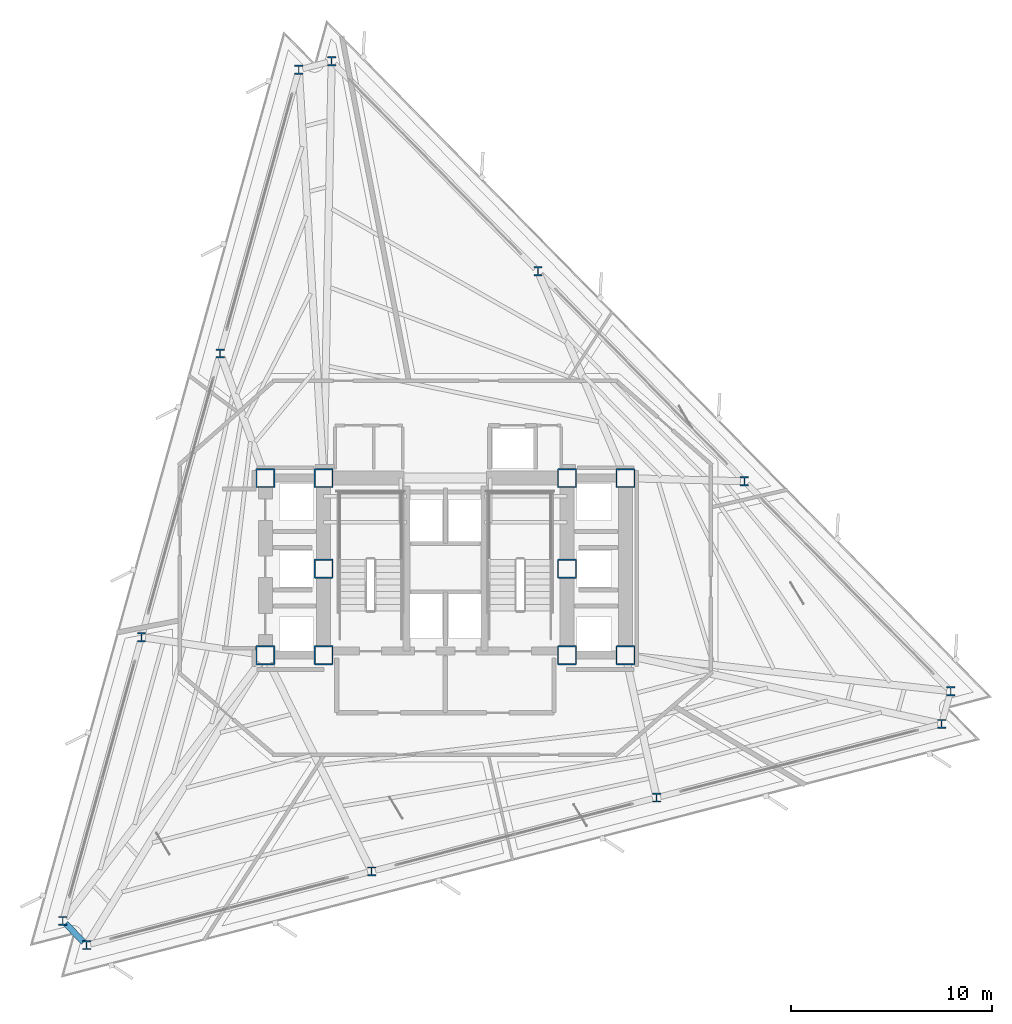
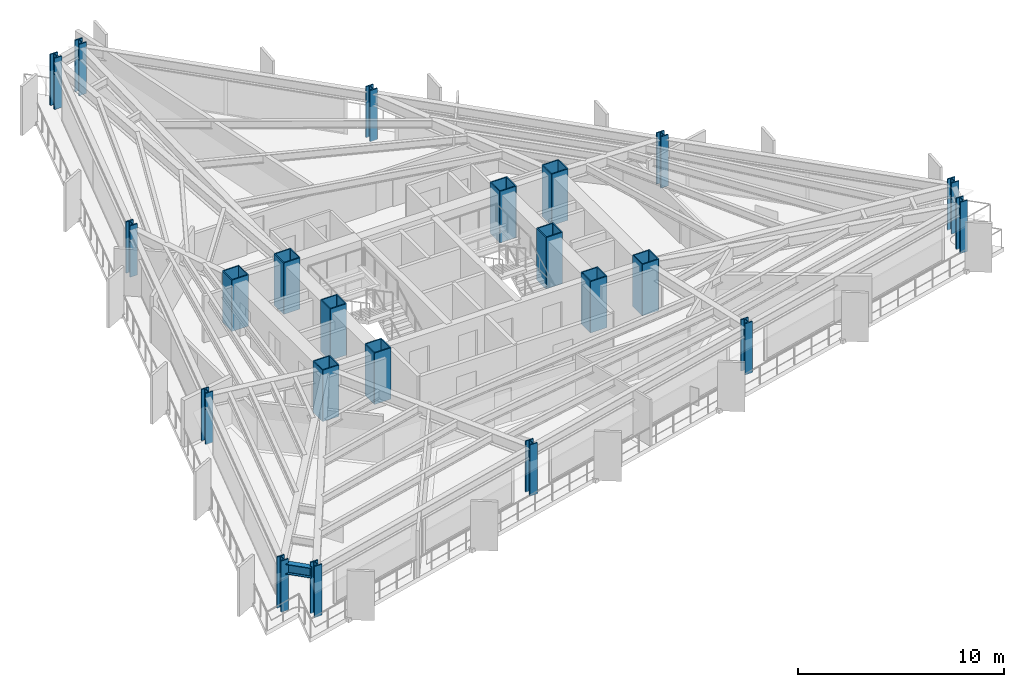
# One storey, part 1 of 11: 22 columns, 1 beam.
"""IFC4 building model written with IfcOpenShell, lengths in metres."""

from ifc_helpers import new_model, si_unit, direction, frame, origin, origin_2d, place, context, subcontext, project, spatial, hollow_rectangle, i_section, extrude, material, material_profile, profile_set, type_object, element, save


model = new_model("IFC4")

# Units and contexts
model_context = context("Model", 3, precision=1e-05, world=origin(), true_north=direction((0.0, 1.0)))
body_context = subcontext(model_context, "Body", "Model", "MODEL_VIEW")
ifc_project = project(units=[si_unit("LENGTHUNIT", "METRE"), si_unit("AREAUNIT", "SQUARE_METRE"), si_unit("VOLUMEUNIT", "CUBIC_METRE"), si_unit("PLANEANGLEUNIT", "RADIAN"), si_unit("MASSUNIT", "GRAM", prefix="KILO")], contexts=[model_context])

# Site, building, storey
site_placement = place(None, origin())
site = spatial("IfcSite", under=ifc_project, at=site_placement, CompositionType="ELEMENT")
building_placement = place(site_placement, origin())
building = spatial("IfcBuilding", under=site, at=building_placement, Name="Rocaltana Carrier Exchange", CompositionType="ELEMENT")
storey_placement = place(building_placement, frame((0.0, 0.0, 79.52001953125)))
storey = spatial("IfcBuildingStorey", under=building, at=storey_placement, Name="L24", CompositionType="ELEMENT", Elevation=79.52001953125)

# Columns
ifc_material_1 = material(Name="Steel S460", Category="steel")
ifc_material_profile_1 = material_profile(ifc_material_1, hollow_rectangle(XDim=0.949951171875, YDim=0.949951171875, WallThickness=0.06005859375, InnerFilletRadius=0.02001953125, OuterFilletRadius=0.0400390625, at=origin_2d()), Name="BOX950X950X60")
ifc_profile_set_1 = profile_set([ifc_material_profile_1], Name="Steel S460")
column_type_1 = type_object("IfcColumnType", Name="Core Mega-Column BOX950", PredefinedType="COLUMN", material=ifc_profile_set_1)
for number, where, z_axis, x_axis, name in (
    (1, (-6.050048828125, 4.5, 0.0), (0.0, 0.0, 1.0), (1.0, 0.0, 0.0), "L24 Core Mega-Column MC1"),
    (2, (6.050048828125, 4.5, 0.0), (0.0, 0.0, 1.0), (1.0, 0.0, 0.0), "L24 Core Mega-Column MC2"),
    (3, (-6.050048828125, 0.0, 0.0), (0.0, 0.0, 1.0), (1.0, 0.0, 0.0), "L24 Core Mega-Column MC3"),
    (4, (6.050048828125, 0.0, 0.0), (0.0, 0.0, 1.0), (1.0, 0.0, 0.0), "L24 Core Mega-Column MC4"),
    (5, (-6.050048828125, -4.300048828125, 0.0), (0.0, 0.0, 1.0), (1.0, 0.0, 0.0), "L24 Core Mega-Column MC5"),
    (6, (6.050048828125, -4.300048828125, 0.0), (0.0, 0.0, 1.0), (1.0, 0.0, 0.0), "L24 Core Mega-Column MC6"),
    (7, (-8.949951171875, 4.5, 0.0), (0.0, 0.0, 1.0), (1.0, 0.0, 0.0), "L24 West Core Column WC1"),
    (8, (-8.949951171875, -4.300048828125, 0.0), (0.0, 0.0, 1.0), (1.0, 0.0, 0.0), "L24 West Core Column WC2"),
    (9, (8.949951171875, 4.5, 0.0), (0.0, 0.0, 1.0), (1.0, 0.0, 0.0), "L24 East Core Column EC1"),
    (10, (8.949951171875, -4.300048828125, 0.0), (0.0, 0.0, 1.0), (1.0, 0.0, 0.0), "L24 East Core Column EC2"),
):
    element("IfcColumn", number, at=place(storey_placement, frame(where, z_axis=z_axis, x_axis=x_axis)), inside=storey, type_object=column_type_1, Name=name, PredefinedType="COLUMN", context=body_context, shape_type="SweptSolid", body=[
        extrude(hollow_rectangle(XDim=0.949951171875, YDim=0.949951171875, WallThickness=0.06005859375, InnerFilletRadius=0.02001953125, OuterFilletRadius=0.0400390625, at=origin_2d()), origin(), (0.0, 0.0, 1.0), 3.0400390625),
    ])
ifc_material_2 = material(Name="Steel S460", Category="steel")
ifc_material_profile_2 = material_profile(ifc_material_2, i_section(OverallWidth=0.41796875, OverallDepth=0.455078125, WebThickness=0.0419921875, FlangeThickness=0.067626953125, FilletRadius=0.02490234375, at=origin_2d()), Name="W14X370")
ifc_profile_set_2 = profile_set([ifc_material_profile_2], Name="Steel S460")
column_type_2 = type_object("IfcColumnType", Name="Perimeter Column W14X370", PredefinedType="COLUMN", material=ifc_profile_set_2)
for number, where, z_axis, x_axis, name in (
    (11, (25.11767578125, -6.091552734375, 0.0), (0.0, 0.0, 1.0), (1.0, 0.0, 0.0), "L24 Perimeter Column TC01"),
    (12, (14.861083984375, 4.345703125, 0.0), (0.0, 0.0, 1.0), (1.0, 0.0, 0.0), "L24 Perimeter Column TC02"),
    (13, (4.6044921875, 14.782958984375, 0.0), (0.0, 0.0, 1.0), (1.0, 0.0, 0.0), "L24 Perimeter Column TC03"),
    (14, (-5.652099609375, 25.22021484375, 0.0), (0.0, 0.0, 1.0), (1.0, 0.0, 0.0), "L24 Perimeter Column TC04"),
    (15, (-7.283447265625, 24.79833984375, 0.0), (0.0, 0.0, 1.0), (1.0, 0.0, 0.0), "L24 Perimeter Column TC05"),
    (16, (-11.194091796875, 10.697265625, 0.0), (0.0, 0.0, 1.0), (1.0, 0.0, 0.0), "L24 Perimeter Column TC06"),
    (17, (-15.1044921875, -3.40380859375, 0.0), (0.0, 0.0, 1.0), (1.0, 0.0, 0.0), "L24 Perimeter Column TC07"),
    (18, (-19.01513671875, -17.505126953125, 0.0), (0.0, 0.0, 1.0), (1.0, 0.0, 0.0), "L24 Perimeter Column TC08"),
    (19, (-17.834228515625, -18.706787109375, 0.0), (0.0, 0.0, 1.0), (1.0, 0.0, 0.0), "L24 Perimeter Column TC09"),
    (20, (-3.6669921875, -15.04296875, 0.0), (0.0, 0.0, 1.0), (1.0, 0.0, 0.0), "L24 Perimeter Column TC10"),
    (21, (10.500244140625, -11.37890625, 0.0), (0.0, 0.0, 1.0), (1.0, 0.0, 0.0), "L24 Perimeter Column TC11"),
    (22, (24.66748046875, -7.715087890625, 0.0), (0.0, 0.0, 1.0), (1.0, 0.0, 0.0), "L24 Perimeter Column TC12"),
):
    element("IfcColumn", number, at=place(storey_placement, frame(where, z_axis=z_axis, x_axis=x_axis)), inside=storey, type_object=column_type_2, Name=name, PredefinedType="COLUMN", context=body_context, shape_type="SweptSolid", body=[
        extrude(i_section(OverallWidth=0.41796875, OverallDepth=0.455078125, WebThickness=0.0419921875, FlangeThickness=0.067626953125, FilletRadius=0.02490234375, at=origin_2d()), origin(), (0.0, 0.0, 1.0), 3.0400390625),
    ])

# Beam
ifc_material_3 = material(Name="Steel S355", Category="steel")
ifc_material_profile_3 = material_profile(ifc_material_3, i_section(OverallWidth=0.300048828125, OverallDepth=0.60009765625, WebThickness=0.015380859375, FlangeThickness=0.030029296875, FilletRadius=0.027099609375, at=origin_2d()), Name="HEB600")
ifc_profile_set_3 = profile_set([ifc_material_profile_3], Name="Steel S355")
beam_type = type_object("IfcBeamType", Name="Spandrel Edge Beam HEB600", PredefinedType="SPANDREL", material=ifc_profile_set_3)
beam_placement = place(storey_placement, frame((-18.874267578125, -17.6484375, 2.488037109375), z_axis=(0.700894805842, -0.713264657153, 0.0), x_axis=(0.713264657153, 0.700894805842, 0.0)))
element("IfcBeam", 23, at=beam_placement, inside=storey, type_object=beam_type, Name="SP-L24-08", PredefinedType="SPANDREL", context=body_context, shape_type="SweptSolid", body=[
    extrude(i_section(OverallWidth=0.300048828125, OverallDepth=0.60009765625, WebThickness=0.015380859375, FlangeThickness=0.030029296875, FilletRadius=0.027099609375, at=origin_2d()), origin(), (0.0, 0.0, 1.0), 1.282958984375),
])

save(model, "model.ifc")
